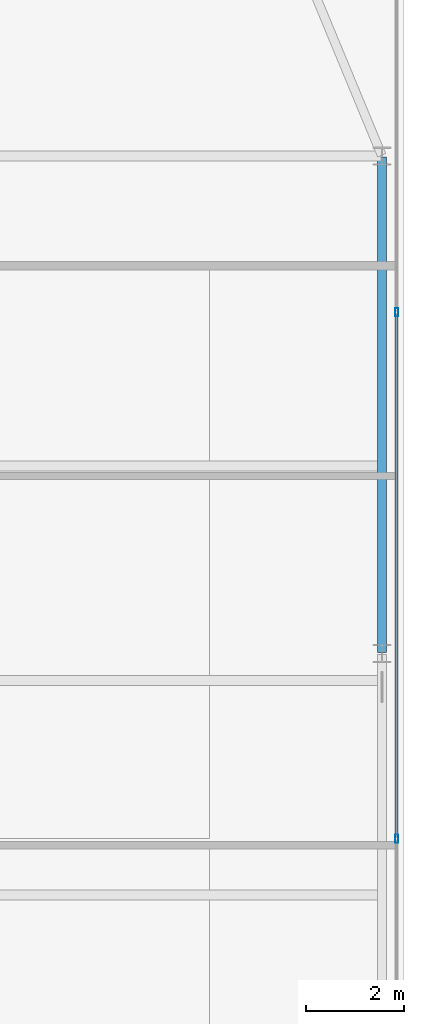
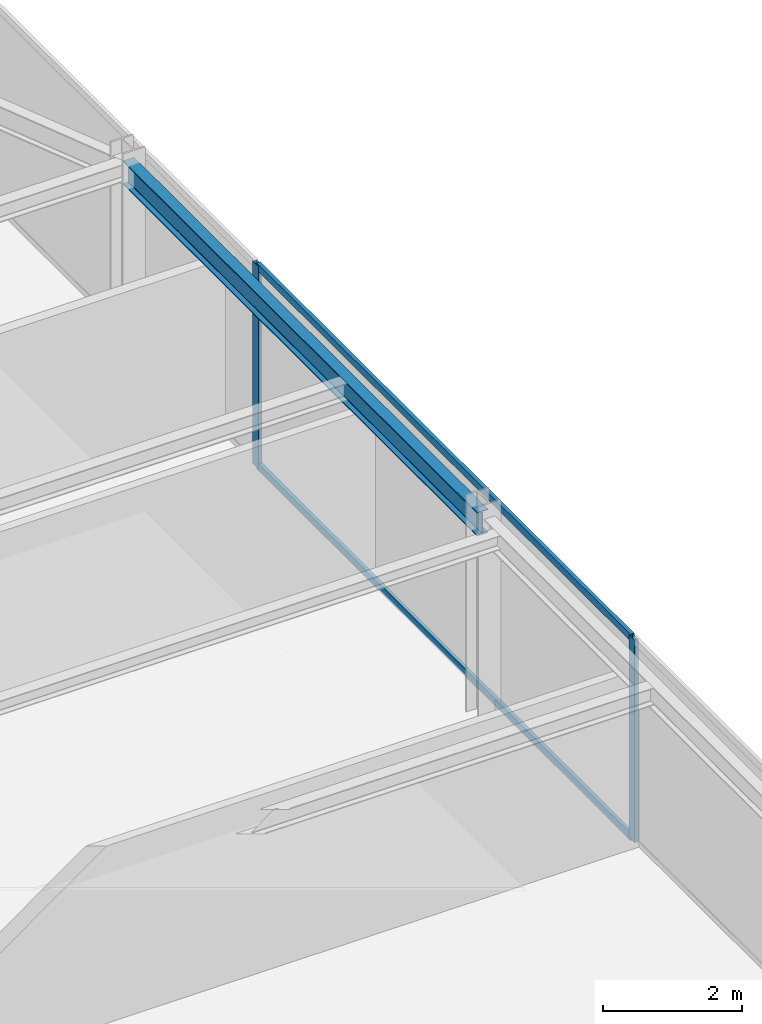
# One storey, part 18 of 31: 4 members, 1 beam, 1 element without a shape of its own.
"""IFC4 building model written with IfcOpenShell, lengths in metres."""

from ifc_helpers import new_model, si_unit, direction, frame, origin, origin_2d, place, context, subcontext, project, spatial, hollow_rectangle, i_section, extrude, source, transform, mapped, material, layer, layer_set, material_profile, profile_set, type_object, type_shapes, element, aggregate, save


model = new_model("IFC4")

# Units and contexts
model_context = context("Model", 3, precision=1e-05, world=origin(), true_north=direction((0.0, 1.0)))
body_context = subcontext(model_context, "Body", "Model", "MODEL_VIEW")
ifc_project = project(units=[si_unit("LENGTHUNIT", "METRE"), si_unit("AREAUNIT", "SQUARE_METRE"), si_unit("VOLUMEUNIT", "CUBIC_METRE"), si_unit("PLANEANGLEUNIT", "RADIAN"), si_unit("MASSUNIT", "GRAM", prefix="KILO")], contexts=[model_context])

# Site, building, storey
site_placement = place(None, origin())
site = spatial("IfcSite", under=ifc_project, at=site_placement, CompositionType="ELEMENT")
building_placement = place(site_placement, origin())
building = spatial("IfcBuilding", under=site, at=building_placement, Name="Varnel Quay Broadcast Tower", CompositionType="ELEMENT")
storey_placement = place(building_placement, frame((0.0, 0.0, 183.800048828125)))
storey = spatial("IfcBuildingStorey", under=building, at=storey_placement, Name="L45", CompositionType="ELEMENT", Elevation=183.800048828125)

# Beam
ifc_material_1 = material(Name="Structural Steel CSA G40.21 350W", Category="steel")
ifc_material_profile_1 = material_profile(ifc_material_1, i_section(OverallWidth=0.180908203125, OverallDepth=0.4169921875, WebThickness=0.010986328125, FlangeThickness=0.018310546875, FilletRadius=0.011962890625, at=origin_2d()), Name="W410X85")
ifc_profile_set_1 = profile_set([ifc_material_profile_1], Name="Structural Steel CSA G40.21 350W")
beam_type = type_object("IfcBeamType", Name="Beam_W410X85", PredefinedType="SPANDREL", material=ifc_profile_set_1)
shared_shape_1 = source(origin(), body_context, "Body", "SweptSolid", [
    extrude(i_section(OverallWidth=0.180908203125, OverallDepth=0.4169921875, WebThickness=0.010986328125, FlangeThickness=0.018310546875, FilletRadius=0.011962890625, at=origin_2d()), origin(), (0.0, 0.0, 1.0), 10.16015625),
])
type_shapes(beam_type, [shared_shape_1])
beam_placement = place(storey_placement, frame((60.550048828125, 25.419921875, 3.341552734375), z_axis=(0.0, 1.0, 0.0), x_axis=(-1.0, 0.0, 0.0)))
element("IfcBeam", 1, at=beam_placement, inside=storey, type_object=beam_type, Name="L45 East Spandrel TC-E2-TC-E3", PredefinedType="SPANDREL", context=body_context, shape_type="MappedRepresentation", body=[
    mapped(shared_shape_1, transform((0.0, 0.0, 0.0), x_axis=(1.0, 0.0, 0.0), y_axis=(0.0, 1.0, 0.0), z_axis=(0.0, 0.0, 1.0), scale=1.0)),
])

# Curtain wall, members
ifc_material_2 = material(Name="Anodised Bronze Aluminium 6063-T6", Category="aluminium")
ifc_layer = layer(ifc_material_2, 0.18994140625, Name="Anodised Bronze Aluminium 6063-T6")
ifc_layer_set = layer_set([ifc_layer], Name="Anodised Bronze Aluminium 6063-T6")
curtain_wall_type = type_object("IfcCurtainWallType", Name="CW_UpperTower", PredefinedType="NOTDEFINED", material=ifc_layer_set)
curtain_wall_placement = place(storey_placement, origin())
curtain_wall = element("IfcCurtainWall", 2, at=curtain_wall_placement, inside=storey, type_object=curtain_wall_type, Name="L45 East Unitised Curtain Wall", PredefinedType="NOTDEFINED")
ifc_material_profile_2 = material_profile(ifc_material_2, hollow_rectangle(XDim=0.06494140625, YDim=0.1650390625, WallThickness=0.00341796875, at=origin_2d()), Name="ALU65X165X3.5")
ifc_profile_set_2 = profile_set([ifc_material_profile_2], Name="Anodised Bronze Aluminium 6063-T6")
member_type_1 = type_object("IfcMemberType", Name="Mull_CWS-03", PredefinedType="MULLION", material=ifc_profile_set_2)
shared_shape_2 = source(origin(), body_context, "Body", "SweptSolid", [
    extrude(hollow_rectangle(XDim=0.06494140625, YDim=0.1650390625, WallThickness=0.00341796875, at=origin_2d()), origin(), (0.0, 0.0, 1.0), 3.550048828125),
])
type_shapes(member_type_1, [shared_shape_2])
member_1_placement = place(storey_placement, frame((60.85009765625, 21.60009765625, 0.0), z_axis=(0.0, 0.0, 1.0), x_axis=(-1.0, 0.0, 0.0)))
member_1 = element("IfcMember", 3, at=member_1_placement, type_object=member_type_1, Name="CWS-03 mullion 2", PredefinedType="MULLION", context=body_context, shape_type="MappedRepresentation", body=[
    mapped(shared_shape_2, transform((0.0, 0.0, 0.0), x_axis=(1.0, 0.0, 0.0), y_axis=(0.0, 1.0, 0.0), z_axis=(0.0, 0.0, 1.0), scale=1.0)),
])
member_2_placement = place(storey_placement, frame((60.85009765625, 32.39990234375, 0.0), z_axis=(0.0, 0.0, 1.0), x_axis=(-1.0, 0.0, 0.0)))
member_2 = element("IfcMember", 4, at=member_2_placement, type_object=member_type_1, Name="CWS-03 mullion 3", PredefinedType="MULLION", context=body_context, shape_type="MappedRepresentation", body=[
    mapped(shared_shape_2, transform((0.0, 0.0, 0.0), x_axis=(1.0, 0.0, 0.0), y_axis=(0.0, 1.0, 0.0), z_axis=(0.0, 0.0, 1.0), scale=1.0)),
])
ifc_material_profile_3 = material_profile(ifc_material_2, hollow_rectangle(XDim=0.06005859375, YDim=0.125, WallThickness=0.0029296875, at=origin_2d()), Name="ALU60X125X3")
ifc_profile_set_3 = profile_set([ifc_material_profile_3], Name="Anodised Bronze Aluminium 6063-T6")
member_type_2 = type_object("IfcMemberType", Name="Tran_CWS-03", PredefinedType="USERDEFINED", material=ifc_profile_set_3)
shared_shape_3 = source(origin(), body_context, "Body", "SweptSolid", [
    extrude(hollow_rectangle(XDim=0.06005859375, YDim=0.125, WallThickness=0.0029296875, at=origin_2d()), origin(), (0.0, 0.0, 1.0), 10.73486328125),
])
type_shapes(member_type_2, [shared_shape_3])
member_3_placement = place(storey_placement, frame((60.85009765625, 21.632568359375, 0.030029296875), z_axis=(0.0, 1.0, 0.0), x_axis=(-1.0, 0.0, 0.0)))
member_3 = element("IfcMember", 5, at=member_3_placement, type_object=member_type_2, Name="CWS-03 transom 2.1", ObjectType="TRANSOM", PredefinedType="USERDEFINED", context=body_context, shape_type="MappedRepresentation", body=[
    mapped(shared_shape_3, transform((0.0, 0.0, 0.0), x_axis=(1.0, 0.0, 0.0), y_axis=(0.0, 1.0, 0.0), z_axis=(0.0, 0.0, 1.0), scale=1.0)),
])
member_4_placement = place(storey_placement, frame((60.85009765625, 21.632568359375, 3.52001953125), z_axis=(0.0, 1.0, 0.0), x_axis=(-1.0, 0.0, 0.0)))
member_4 = element("IfcMember", 6, at=member_4_placement, type_object=member_type_2, Name="CWS-03 transom 2.2", ObjectType="TRANSOM", PredefinedType="USERDEFINED", context=body_context, shape_type="MappedRepresentation", body=[
    mapped(shared_shape_3, transform((0.0, 0.0, 0.0), x_axis=(1.0, 0.0, 0.0), y_axis=(0.0, 1.0, 0.0), z_axis=(0.0, 0.0, 1.0), scale=1.0)),
])
aggregate(curtain_wall, [member_1, member_2, member_3, member_4])

save(model, "model.ifc")
